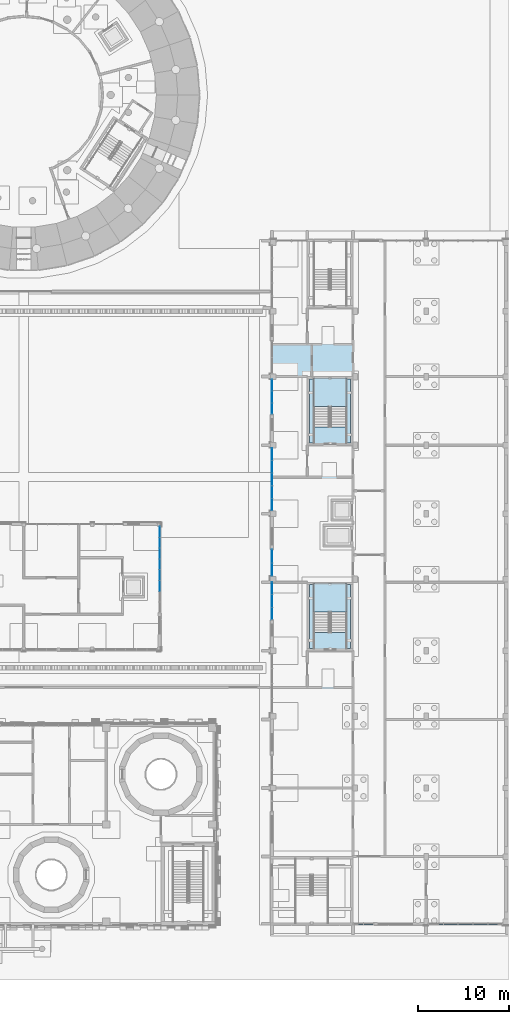
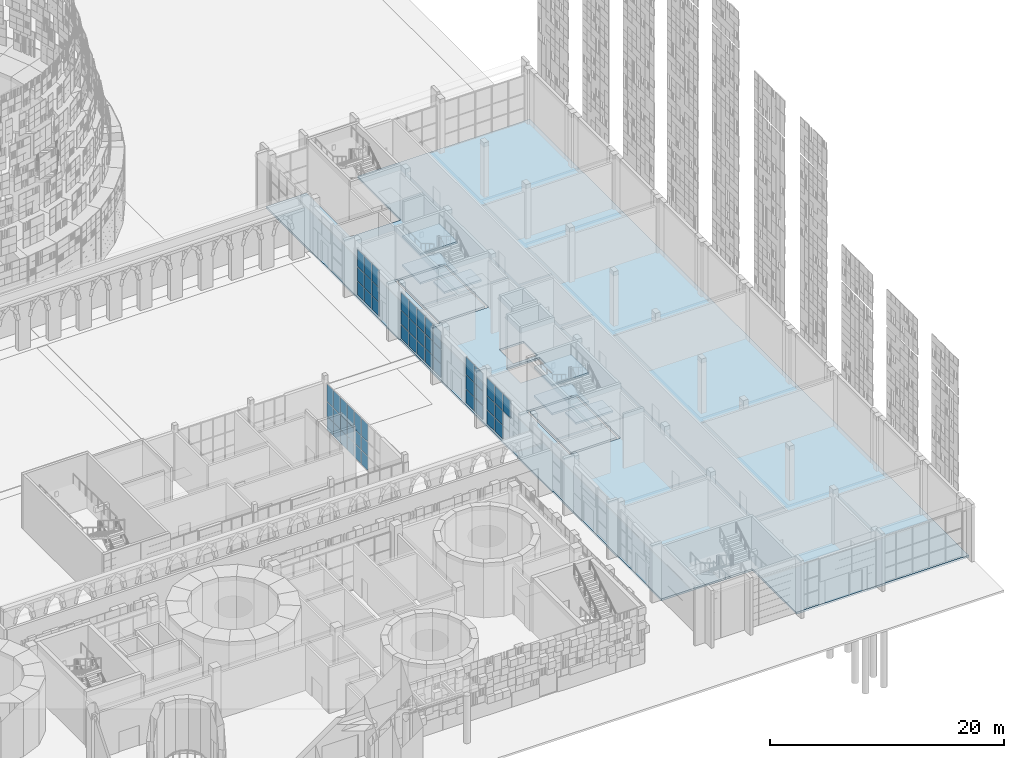
# One storey, part 44 of 125: 55 plates, 9 slabs, 7 elements without a shape of their own.
"""IFC4 building model written with IfcOpenShell, lengths in metres."""

from ifc_helpers import new_model, si_unit, direction, frame, origin, origin_2d, place, context, subcontext, project, spatial, polyline, rectangle, outline, extrude, material, layer, layer_set, type_object, element, aggregate, save


model = new_model("IFC4")

# Units and contexts
model_context = context("Model", 3, precision=1e-05, world=origin(), true_north=direction((0.0, 1.0)))
body_context = subcontext(model_context, "Body", "Model", "MODEL_VIEW")
ifc_project = project(units=[si_unit("LENGTHUNIT", "METRE"), si_unit("AREAUNIT", "SQUARE_METRE"), si_unit("VOLUMEUNIT", "CUBIC_METRE"), si_unit("PLANEANGLEUNIT", "RADIAN"), si_unit("MASSUNIT", "GRAM", prefix="KILO")], contexts=[model_context])

# Site, building, storey
site_placement = place(None, origin())
site = spatial("IfcSite", under=ifc_project, at=site_placement, CompositionType="ELEMENT")
building_placement = place(site_placement, origin())
building = spatial("IfcBuilding", under=site, at=building_placement, Name="Sun Court Science Centre", CompositionType="ELEMENT")
storey_placement = place(building_placement, origin())
storey = spatial("IfcBuildingStorey", under=building, at=storey_placement, Name="L00", CompositionType="ELEMENT", Elevation=0.0)

# Curtain wall, plates
ifc_material_1 = material(Name="Aluminium EN AW-6063 T6", Category="aluminium")
curtain_wall_type_1 = type_object("IfcCurtainWallType", Name="Pavilion curtain wall 1200", PredefinedType="NOTDEFINED", material=ifc_material_1)
curtain_wall_1_placement = place(storey_placement, origin())
curtain_wall_1 = element("IfcCurtainWall", 1, at=curtain_wall_1_placement, inside=storey, type_object=curtain_wall_type_1, Name="Curtain wall V5 E L00 01", PredefinedType="NOTDEFINED")
ifc_material_2 = material(Name="Toughened safety glass", Category="glass")
ifc_layer_1 = layer(ifc_material_2, 0.0107421875)
ifc_layer_set_1 = layer_set([ifc_layer_1], Name="Toughened safety glass")
plate_type_1 = type_object("IfcPlateType", Name="Pavilion toughened glazing panel 10.8", PredefinedType="CURTAIN_PANEL", material=ifc_layer_set_1)
plate_1_placement = place(storey_placement, frame((65.85009765625, 43.10302734375, 0.0498046875), z_axis=(0.0, 0.0, 1.0), x_axis=(0.0, -1.0, 0.0)))
plate_1 = element("IfcPlate", 2, at=plate_1_placement, type_object=plate_type_1, Name="CW3-20 panel 6.1", PredefinedType="CURTAIN_PANEL", context=body_context, shape_type="SweptSolid", body=[
    extrude(rectangle(XDim=1.13134765625, YDim=0.0107421875, at=origin_2d()), origin(), (0.0, 0.0, 1.0), 1.425048828125),
])
plate_2_placement = place(storey_placement, frame((65.85009765625, 44.284423828125, 0.0498046875), z_axis=(0.0, 0.0, 1.0), x_axis=(0.0, -1.0, 0.0)))
plate_2 = element("IfcPlate", 3, at=plate_2_placement, type_object=plate_type_1, Name="CW3-20 panel 5.1", PredefinedType="CURTAIN_PANEL", context=body_context, shape_type="SweptSolid", body=[
    extrude(rectangle(XDim=1.13134765625, YDim=0.0107421875, at=origin_2d()), origin(), (0.0, 0.0, 1.0), 1.425048828125),
])
plate_3_placement = place(storey_placement, frame((65.85009765625, 45.465576171875, 0.0498046875), z_axis=(0.0, 0.0, 1.0), x_axis=(0.0, -1.0, 0.0)))
plate_3 = element("IfcPlate", 4, at=plate_3_placement, type_object=plate_type_1, Name="CW3-20 panel 4.1", PredefinedType="CURTAIN_PANEL", context=body_context, shape_type="SweptSolid", body=[
    extrude(rectangle(XDim=1.13134765625, YDim=0.0107421875, at=origin_2d()), origin(), (0.0, 0.0, 1.0), 1.425048828125),
])
plate_4_placement = place(storey_placement, frame((65.85009765625, 46.64697265625, 0.0498046875), z_axis=(0.0, 0.0, 1.0), x_axis=(0.0, -1.0, 0.0)))
plate_4 = element("IfcPlate", 5, at=plate_4_placement, type_object=plate_type_1, Name="CW3-20 panel 3.1", PredefinedType="CURTAIN_PANEL", context=body_context, shape_type="SweptSolid", body=[
    extrude(rectangle(XDim=1.13134765625, YDim=0.0107421875, at=origin_2d()), origin(), (0.0, 0.0, 1.0), 1.425048828125),
])
plate_5_placement = place(storey_placement, frame((65.85009765625, 47.828125, 0.0498046875), z_axis=(0.0, 0.0, 1.0), x_axis=(0.0, -1.0, 0.0)))
plate_5 = element("IfcPlate", 6, at=plate_5_placement, type_object=plate_type_1, Name="CW3-20 panel 2.1", PredefinedType="CURTAIN_PANEL", context=body_context, shape_type="SweptSolid", body=[
    extrude(rectangle(XDim=1.13134765625, YDim=0.0107421875, at=origin_2d()), origin(), (0.0, 0.0, 1.0), 1.425048828125),
])
plate_6_placement = place(storey_placement, frame((65.85009765625, 48.996826171875, 0.0498046875), z_axis=(0.0, 0.0, 1.0), x_axis=(0.0, -1.0, 0.0)))
plate_6 = element("IfcPlate", 7, at=plate_6_placement, type_object=plate_type_1, Name="CW3-20 panel 1.1", PredefinedType="CURTAIN_PANEL", context=body_context, shape_type="SweptSolid", body=[
    extrude(rectangle(XDim=1.106201171875, YDim=0.0107421875, at=origin_2d()), origin(), (0.0, 0.0, 1.0), 1.425048828125),
])
plate_7_placement = place(storey_placement, frame((65.85009765625, 43.10302734375, 1.52490234375), z_axis=(0.0, 0.0, 1.0), x_axis=(0.0, -1.0, 0.0)))
plate_7 = element("IfcPlate", 8, at=plate_7_placement, type_object=plate_type_1, Name="CW3-20 panel 6.2", PredefinedType="CURTAIN_PANEL", context=body_context, shape_type="SweptSolid", body=[
    extrude(rectangle(XDim=1.13134765625, YDim=0.0107421875, at=origin_2d()), origin(), (0.0, 0.0, 1.0), 1.449951171875),
])
plate_8_placement = place(storey_placement, frame((65.85009765625, 44.284423828125, 1.52490234375), z_axis=(0.0, 0.0, 1.0), x_axis=(0.0, -1.0, 0.0)))
plate_8 = element("IfcPlate", 9, at=plate_8_placement, type_object=plate_type_1, Name="CW3-20 panel 5.2", PredefinedType="CURTAIN_PANEL", context=body_context, shape_type="SweptSolid", body=[
    extrude(rectangle(XDim=1.13134765625, YDim=0.0107421875, at=origin_2d()), origin(), (0.0, 0.0, 1.0), 1.449951171875),
])
plate_9_placement = place(storey_placement, frame((65.85009765625, 45.465576171875, 1.52490234375), z_axis=(0.0, 0.0, 1.0), x_axis=(0.0, -1.0, 0.0)))
plate_9 = element("IfcPlate", 10, at=plate_9_placement, type_object=plate_type_1, Name="CW3-20 panel 4.2", PredefinedType="CURTAIN_PANEL", context=body_context, shape_type="SweptSolid", body=[
    extrude(rectangle(XDim=1.13134765625, YDim=0.0107421875, at=origin_2d()), origin(), (0.0, 0.0, 1.0), 1.449951171875),
])
plate_10_placement = place(storey_placement, frame((65.85009765625, 46.64697265625, 1.52490234375), z_axis=(0.0, 0.0, 1.0), x_axis=(0.0, -1.0, 0.0)))
plate_10 = element("IfcPlate", 11, at=plate_10_placement, type_object=plate_type_1, Name="CW3-20 panel 3.2", PredefinedType="CURTAIN_PANEL", context=body_context, shape_type="SweptSolid", body=[
    extrude(rectangle(XDim=1.13134765625, YDim=0.0107421875, at=origin_2d()), origin(), (0.0, 0.0, 1.0), 1.449951171875),
])
plate_11_placement = place(storey_placement, frame((65.85009765625, 47.828125, 1.52490234375), z_axis=(0.0, 0.0, 1.0), x_axis=(0.0, -1.0, 0.0)))
plate_11 = element("IfcPlate", 12, at=plate_11_placement, type_object=plate_type_1, Name="CW3-20 panel 2.2", PredefinedType="CURTAIN_PANEL", context=body_context, shape_type="SweptSolid", body=[
    extrude(rectangle(XDim=1.13134765625, YDim=0.0107421875, at=origin_2d()), origin(), (0.0, 0.0, 1.0), 1.449951171875),
])
plate_12_placement = place(storey_placement, frame((65.85009765625, 48.996826171875, 1.52490234375), z_axis=(0.0, 0.0, 1.0), x_axis=(0.0, -1.0, 0.0)))
plate_12 = element("IfcPlate", 13, at=plate_12_placement, type_object=plate_type_1, Name="CW3-20 panel 1.2", PredefinedType="CURTAIN_PANEL", context=body_context, shape_type="SweptSolid", body=[
    extrude(rectangle(XDim=1.106201171875, YDim=0.0107421875, at=origin_2d()), origin(), (0.0, 0.0, 1.0), 1.449951171875),
])
plate_13_placement = place(storey_placement, frame((65.85009765625, 43.10302734375, 3.02490234375), z_axis=(0.0, 0.0, 1.0), x_axis=(0.0, -1.0, 0.0)))
plate_13 = element("IfcPlate", 14, at=plate_13_placement, type_object=plate_type_1, Name="CW3-20 panel 6.3", PredefinedType="CURTAIN_PANEL", context=body_context, shape_type="SweptSolid", body=[
    extrude(rectangle(XDim=1.13134765625, YDim=0.0107421875, at=origin_2d()), origin(), (0.0, 0.0, 1.0), 1.824951171875),
])
plate_14_placement = place(storey_placement, frame((65.85009765625, 44.284423828125, 3.02490234375), z_axis=(0.0, 0.0, 1.0), x_axis=(0.0, -1.0, 0.0)))
plate_14 = element("IfcPlate", 15, at=plate_14_placement, type_object=plate_type_1, Name="CW3-20 panel 5.3", PredefinedType="CURTAIN_PANEL", context=body_context, shape_type="SweptSolid", body=[
    extrude(rectangle(XDim=1.13134765625, YDim=0.0107421875, at=origin_2d()), origin(), (0.0, 0.0, 1.0), 1.824951171875),
])
plate_15_placement = place(storey_placement, frame((65.85009765625, 45.465576171875, 3.02490234375), z_axis=(0.0, 0.0, 1.0), x_axis=(0.0, -1.0, 0.0)))
plate_15 = element("IfcPlate", 16, at=plate_15_placement, type_object=plate_type_1, Name="CW3-20 panel 4.3", PredefinedType="CURTAIN_PANEL", context=body_context, shape_type="SweptSolid", body=[
    extrude(rectangle(XDim=1.13134765625, YDim=0.0107421875, at=origin_2d()), origin(), (0.0, 0.0, 1.0), 1.824951171875),
])
plate_16_placement = place(storey_placement, frame((65.85009765625, 46.64697265625, 3.02490234375), z_axis=(0.0, 0.0, 1.0), x_axis=(0.0, -1.0, 0.0)))
plate_16 = element("IfcPlate", 17, at=plate_16_placement, type_object=plate_type_1, Name="CW3-20 panel 3.3", PredefinedType="CURTAIN_PANEL", context=body_context, shape_type="SweptSolid", body=[
    extrude(rectangle(XDim=1.13134765625, YDim=0.0107421875, at=origin_2d()), origin(), (0.0, 0.0, 1.0), 1.824951171875),
])
plate_17_placement = place(storey_placement, frame((65.85009765625, 47.828125, 3.02490234375), z_axis=(0.0, 0.0, 1.0), x_axis=(0.0, -1.0, 0.0)))
plate_17 = element("IfcPlate", 18, at=plate_17_placement, type_object=plate_type_1, Name="CW3-20 panel 2.3", PredefinedType="CURTAIN_PANEL", context=body_context, shape_type="SweptSolid", body=[
    extrude(rectangle(XDim=1.13134765625, YDim=0.0107421875, at=origin_2d()), origin(), (0.0, 0.0, 1.0), 1.824951171875),
])
plate_18_placement = place(storey_placement, frame((65.85009765625, 48.996826171875, 3.02490234375), z_axis=(0.0, 0.0, 1.0), x_axis=(0.0, -1.0, 0.0)))
plate_18 = element("IfcPlate", 19, at=plate_18_placement, type_object=plate_type_1, Name="CW3-20 panel 1.3", PredefinedType="CURTAIN_PANEL", context=body_context, shape_type="SweptSolid", body=[
    extrude(rectangle(XDim=1.106201171875, YDim=0.0107421875, at=origin_2d()), origin(), (0.0, 0.0, 1.0), 1.824951171875),
])
aggregate(curtain_wall_1, [plate_1, plate_2, plate_3, plate_4, plate_5, plate_6, plate_7, plate_8, plate_9, plate_10, plate_11, plate_12, plate_13, plate_14, plate_15, plate_16, plate_17, plate_18])

# Slabs
ifc_material_3 = material(Name="Concrete C25/30", Category="concrete")
ifc_layer_2 = layer(ifc_material_3, 0.199951171875)
ifc_layer_set_2 = layer_set([ifc_layer_2], Name="Concrete C25/30")
slab_type_1 = type_object("IfcSlabType", Name="RC ground slab 200", PredefinedType="BASESLAB", material=ifc_layer_set_2)
slab_1_placement = place(storey_placement, frame((0.0, 0.0, -0.199951171875)))
element("IfcSlab", 20, at=slab_1_placement, inside=storey, type_object=slab_type_1, Name="Ground slab L00", PredefinedType="BASESLAB", context=body_context, shape_type="SweptSolid", body=[
    extrude(outline(polyline([(104.0, 81.0), (87.0, 81.0), (87.0, 73.5), (82.0, 73.5), (82.0, 81.0), (78.0, 81.0), (78.0, 13.5), (87.0, 13.5), (87.0, 6.0), (104.0, 6.0), (104.0, 81.0)]), holes=[polyline([(84.577392578125, 52.612548828125), (87.00244140625, 52.612548828125), (87.00244140625, 50.1875), (84.577392578125, 50.1875), (84.577392578125, 52.612548828125)]), polyline([(87.0, 43.5), (87.0, 36.0), (82.0, 36.0), (82.0, 43.5), (87.0, 43.5)]), polyline([(87.0, 49.85009765625), (87.0, 47.35009765625), (83.699951171875, 47.35009765625), (83.699951171875, 49.85009765625), (87.0, 49.85009765625)]), polyline([(87.0, 66.0), (87.0, 58.5), (82.0, 58.5), (82.0, 66.0), (87.0, 66.0)])]), origin(), (0.0, 0.0, 1.0), 0.199951171875),
])
slab_2_placement = place(storey_placement, frame((0.0, 0.0, -0.199951171875)))
element("IfcSlab", 21, at=slab_2_placement, inside=storey, type_object=slab_type_1, Name="Stair SL2 ground slab", PredefinedType="BASESLAB", context=body_context, shape_type="SweptSolid", body=[
    extrude(outline(polyline([(82.25, 36.25), (86.75, 36.25), (86.75, 43.25), (82.25, 43.25), (82.25, 36.25)])), origin(), (0.0, 0.0, 1.0), 0.199951171875),
])
slab_3_placement = place(storey_placement, frame((0.0, 0.0, -0.199951171875)))
element("IfcSlab", 22, at=slab_3_placement, inside=storey, type_object=slab_type_1, Name="Stair SL3 ground slab", PredefinedType="BASESLAB", context=body_context, shape_type="SweptSolid", body=[
    extrude(outline(polyline([(82.25, 58.75), (86.75, 58.75), (86.75, 65.75), (82.25, 65.75), (82.25, 58.75)])), origin(), (0.0, 0.0, 1.0), 0.199951171875),
])

# Curtain wall, plates
ifc_material_4 = material(Name="Aluminium EN AW-6063 T6", Category="aluminium")
curtain_wall_type_2 = type_object("IfcCurtainWallType", Name="Laboratory tall bay curtain wall 1500", PredefinedType="NOTDEFINED", material=ifc_material_4)
curtain_wall_2_placement = place(storey_placement, origin())
curtain_wall_2 = element("IfcCurtainWall", 23, at=curtain_wall_2_placement, inside=storey, type_object=curtain_wall_type_2, Name="Curtain wall V4 W L00 04", PredefinedType="NOTDEFINED")
ifc_material_5 = material(Name="Solar-control glass", Category="glass")
ifc_layer_3 = layer(ifc_material_5, 0.028076171875)
ifc_layer_set_3 = layer_set([ifc_layer_3], Name="Solar-control glass")
plate_type_2 = type_object("IfcPlateType", Name="Solar-control glazing panel 8-12-8", PredefinedType="CURTAIN_PANEL", material=ifc_layer_set_3)
plate_19_placement = place(storey_placement, frame((78.14990234375, 41.449951171875, 0.06005859375), z_axis=(0.0, 0.0, 1.0), x_axis=(0.0, 1.0, 0.0)))
plate_19 = element("IfcPlate", 24, at=plate_19_placement, type_object=plate_type_2, Name="CW2-04 panel 2.1", PredefinedType="CURTAIN_PANEL", context=body_context, shape_type="SweptSolid", body=[
    extrude(rectangle(XDim=1.340087890625, YDim=0.028076171875, at=origin_2d()), origin(), (0.0, 0.0, 1.0), 1.409912109375),
])
plate_20_placement = place(storey_placement, frame((78.14990234375, 42.8349609375, 0.06005859375), z_axis=(0.0, 0.0, 1.0), x_axis=(0.0, 1.0, 0.0)))
plate_20 = element("IfcPlate", 25, at=plate_20_placement, type_object=plate_type_2, Name="CW2-04 panel 3.1", PredefinedType="CURTAIN_PANEL", context=body_context, shape_type="SweptSolid", body=[
    extrude(rectangle(XDim=1.31005859375, YDim=0.028076171875, at=origin_2d()), origin(), (0.0, 0.0, 1.0), 1.409912109375),
])
plate_21_placement = place(storey_placement, frame((78.14990234375, 41.449951171875, 1.530029296875), z_axis=(0.0, 0.0, 1.0), x_axis=(0.0, 1.0, 0.0)))
plate_21 = element("IfcPlate", 26, at=plate_21_placement, type_object=plate_type_2, Name="CW2-04 panel 2.2", PredefinedType="CURTAIN_PANEL", context=body_context, shape_type="SweptSolid", body=[
    extrude(rectangle(XDim=1.340087890625, YDim=0.028076171875, at=origin_2d()), origin(), (0.0, 0.0, 1.0), 1.43994140625),
])
plate_22_placement = place(storey_placement, frame((78.14990234375, 42.8349609375, 1.530029296875), z_axis=(0.0, 0.0, 1.0), x_axis=(0.0, 1.0, 0.0)))
plate_22 = element("IfcPlate", 27, at=plate_22_placement, type_object=plate_type_2, Name="CW2-04 panel 3.2", PredefinedType="CURTAIN_PANEL", context=body_context, shape_type="SweptSolid", body=[
    extrude(rectangle(XDim=1.31005859375, YDim=0.028076171875, at=origin_2d()), origin(), (0.0, 0.0, 1.0), 1.43994140625),
])
plate_23_placement = place(storey_placement, frame((78.14990234375, 40.06494140625, 3.030029296875), z_axis=(0.0, 0.0, 1.0), x_axis=(0.0, 1.0, 0.0)))
plate_23 = element("IfcPlate", 28, at=plate_23_placement, type_object=plate_type_2, Name="CW2-04 panel 1.3", PredefinedType="CURTAIN_PANEL", context=body_context, shape_type="SweptSolid", body=[
    extrude(rectangle(XDim=1.31005859375, YDim=0.028076171875, at=origin_2d()), origin(), (0.0, 0.0, 1.0), 1.81005859375),
])
plate_24_placement = place(storey_placement, frame((78.14990234375, 41.449951171875, 3.030029296875), z_axis=(0.0, 0.0, 1.0), x_axis=(0.0, 1.0, 0.0)))
plate_24 = element("IfcPlate", 29, at=plate_24_placement, type_object=plate_type_2, Name="CW2-04 panel 2.3", PredefinedType="CURTAIN_PANEL", context=body_context, shape_type="SweptSolid", body=[
    extrude(rectangle(XDim=1.340087890625, YDim=0.028076171875, at=origin_2d()), origin(), (0.0, 0.0, 1.0), 1.81005859375),
])
plate_25_placement = place(storey_placement, frame((78.14990234375, 42.8349609375, 3.030029296875), z_axis=(0.0, 0.0, 1.0), x_axis=(0.0, 1.0, 0.0)))
plate_25 = element("IfcPlate", 30, at=plate_25_placement, type_object=plate_type_2, Name="CW2-04 panel 3.3", PredefinedType="CURTAIN_PANEL", context=body_context, shape_type="SweptSolid", body=[
    extrude(rectangle(XDim=1.31005859375, YDim=0.028076171875, at=origin_2d()), origin(), (0.0, 0.0, 1.0), 1.81005859375),
])
aggregate(curtain_wall_2, [plate_19, plate_20, plate_21, plate_22, plate_23, plate_24, plate_25])

curtain_wall_3_placement = place(storey_placement, origin())
curtain_wall_3 = element("IfcCurtainWall", 31, at=curtain_wall_3_placement, inside=storey, type_object=curtain_wall_type_2, Name="Curtain wall V4 W L00 05", PredefinedType="NOTDEFINED")
plate_26_placement = place(storey_placement, frame((78.14990234375, 44.902587890625, 0.06005859375), z_axis=(0.0, 0.0, 1.0), x_axis=(0.0, 1.0, 0.0)))
plate_26 = element("IfcPlate", 32, at=plate_26_placement, type_object=plate_type_2, Name="CW2-05 panel 1.1", PredefinedType="CURTAIN_PANEL", context=body_context, shape_type="SweptSolid", body=[
    extrude(rectangle(XDim=1.385009765625, YDim=0.028076171875, at=origin_2d()), origin(), (0.0, 0.0, 1.0), 1.409912109375),
])
plate_27_placement = place(storey_placement, frame((78.14990234375, 46.347412109375, 0.06005859375), z_axis=(0.0, 0.0, 1.0), x_axis=(0.0, 1.0, 0.0)))
plate_27 = element("IfcPlate", 33, at=plate_27_placement, type_object=plate_type_2, Name="CW2-05 panel 2.1", PredefinedType="CURTAIN_PANEL", context=body_context, shape_type="SweptSolid", body=[
    extrude(rectangle(XDim=1.385009765625, YDim=0.028076171875, at=origin_2d()), origin(), (0.0, 0.0, 1.0), 1.409912109375),
])
plate_28_placement = place(storey_placement, frame((78.14990234375, 44.902587890625, 1.530029296875), z_axis=(0.0, 0.0, 1.0), x_axis=(0.0, 1.0, 0.0)))
plate_28 = element("IfcPlate", 34, at=plate_28_placement, type_object=plate_type_2, Name="CW2-05 panel 1.2", PredefinedType="CURTAIN_PANEL", context=body_context, shape_type="SweptSolid", body=[
    extrude(rectangle(XDim=1.385009765625, YDim=0.028076171875, at=origin_2d()), origin(), (0.0, 0.0, 1.0), 1.43994140625),
])
plate_29_placement = place(storey_placement, frame((78.14990234375, 46.347412109375, 1.530029296875), z_axis=(0.0, 0.0, 1.0), x_axis=(0.0, 1.0, 0.0)))
plate_29 = element("IfcPlate", 35, at=plate_29_placement, type_object=plate_type_2, Name="CW2-05 panel 2.2", PredefinedType="CURTAIN_PANEL", context=body_context, shape_type="SweptSolid", body=[
    extrude(rectangle(XDim=1.385009765625, YDim=0.028076171875, at=origin_2d()), origin(), (0.0, 0.0, 1.0), 1.43994140625),
])
plate_30_placement = place(storey_placement, frame((78.14990234375, 44.902587890625, 3.030029296875), z_axis=(0.0, 0.0, 1.0), x_axis=(0.0, 1.0, 0.0)))
plate_30 = element("IfcPlate", 36, at=plate_30_placement, type_object=plate_type_2, Name="CW2-05 panel 1.3", PredefinedType="CURTAIN_PANEL", context=body_context, shape_type="SweptSolid", body=[
    extrude(rectangle(XDim=1.385009765625, YDim=0.028076171875, at=origin_2d()), origin(), (0.0, 0.0, 1.0), 1.81005859375),
])
plate_31_placement = place(storey_placement, frame((78.14990234375, 46.347412109375, 3.030029296875), z_axis=(0.0, 0.0, 1.0), x_axis=(0.0, 1.0, 0.0)))
plate_31 = element("IfcPlate", 37, at=plate_31_placement, type_object=plate_type_2, Name="CW2-05 panel 2.3", PredefinedType="CURTAIN_PANEL", context=body_context, shape_type="SweptSolid", body=[
    extrude(rectangle(XDim=1.385009765625, YDim=0.028076171875, at=origin_2d()), origin(), (0.0, 0.0, 1.0), 1.81005859375),
])
aggregate(curtain_wall_3, [plate_26, plate_27, plate_28, plate_29, plate_30, plate_31])

curtain_wall_4_placement = place(storey_placement, origin())
curtain_wall_4 = element("IfcCurtainWall", 38, at=curtain_wall_4_placement, inside=storey, type_object=curtain_wall_type_2, Name="Curtain wall V4 W L00 06", PredefinedType="NOTDEFINED")
plate_32_placement = place(storey_placement, frame((78.14990234375, 52.0048828125, 0.06005859375), z_axis=(0.0, 0.0, 1.0), x_axis=(0.0, 1.0, 0.0)))
plate_32 = element("IfcPlate", 39, at=plate_32_placement, type_object=plate_type_2, Name="CW2-06 panel 1.1", PredefinedType="CURTAIN_PANEL", context=body_context, shape_type="SweptSolid", body=[
    extrude(rectangle(XDim=1.2900390625, YDim=0.028076171875, at=origin_2d()), origin(), (0.0, 0.0, 1.0), 1.409912109375),
])
plate_33_placement = place(storey_placement, frame((78.14990234375, 53.3701171875, 0.06005859375), z_axis=(0.0, 0.0, 1.0), x_axis=(0.0, 1.0, 0.0)))
plate_33 = element("IfcPlate", 40, at=plate_33_placement, type_object=plate_type_2, Name="CW2-06 panel 2.1", PredefinedType="CURTAIN_PANEL", context=body_context, shape_type="SweptSolid", body=[
    extrude(rectangle(XDim=1.320068359375, YDim=0.028076171875, at=origin_2d()), origin(), (0.0, 0.0, 1.0), 1.409912109375),
])
plate_34_placement = place(storey_placement, frame((78.14990234375, 54.75, 0.06005859375), z_axis=(0.0, 0.0, 1.0), x_axis=(0.0, 1.0, 0.0)))
plate_34 = element("IfcPlate", 41, at=plate_34_placement, type_object=plate_type_2, Name="CW2-06 panel 3.1", PredefinedType="CURTAIN_PANEL", context=body_context, shape_type="SweptSolid", body=[
    extrude(rectangle(XDim=1.320068359375, YDim=0.028076171875, at=origin_2d()), origin(), (0.0, 0.0, 1.0), 1.409912109375),
])
plate_35_placement = place(storey_placement, frame((78.14990234375, 56.1298828125, 0.06005859375), z_axis=(0.0, 0.0, 1.0), x_axis=(0.0, 1.0, 0.0)))
plate_35 = element("IfcPlate", 42, at=plate_35_placement, type_object=plate_type_2, Name="CW2-06 panel 4.1", PredefinedType="CURTAIN_PANEL", context=body_context, shape_type="SweptSolid", body=[
    extrude(rectangle(XDim=1.320068359375, YDim=0.028076171875, at=origin_2d()), origin(), (0.0, 0.0, 1.0), 1.409912109375),
])
plate_36_placement = place(storey_placement, frame((78.14990234375, 57.4951171875, 0.06005859375), z_axis=(0.0, 0.0, 1.0), x_axis=(0.0, 1.0, 0.0)))
plate_36 = element("IfcPlate", 43, at=plate_36_placement, type_object=plate_type_2, Name="CW2-06 panel 5.1", PredefinedType="CURTAIN_PANEL", context=body_context, shape_type="SweptSolid", body=[
    extrude(rectangle(XDim=1.2900390625, YDim=0.028076171875, at=origin_2d()), origin(), (0.0, 0.0, 1.0), 1.409912109375),
])
plate_37_placement = place(storey_placement, frame((78.14990234375, 52.0048828125, 1.530029296875), z_axis=(0.0, 0.0, 1.0), x_axis=(0.0, 1.0, 0.0)))
plate_37 = element("IfcPlate", 44, at=plate_37_placement, type_object=plate_type_2, Name="CW2-06 panel 1.2", PredefinedType="CURTAIN_PANEL", context=body_context, shape_type="SweptSolid", body=[
    extrude(rectangle(XDim=1.2900390625, YDim=0.028076171875, at=origin_2d()), origin(), (0.0, 0.0, 1.0), 1.43994140625),
])
plate_38_placement = place(storey_placement, frame((78.14990234375, 53.3701171875, 1.530029296875), z_axis=(0.0, 0.0, 1.0), x_axis=(0.0, 1.0, 0.0)))
plate_38 = element("IfcPlate", 45, at=plate_38_placement, type_object=plate_type_2, Name="CW2-06 panel 2.2", PredefinedType="CURTAIN_PANEL", context=body_context, shape_type="SweptSolid", body=[
    extrude(rectangle(XDim=1.320068359375, YDim=0.028076171875, at=origin_2d()), origin(), (0.0, 0.0, 1.0), 1.43994140625),
])
plate_39_placement = place(storey_placement, frame((78.14990234375, 54.75, 1.530029296875), z_axis=(0.0, 0.0, 1.0), x_axis=(0.0, 1.0, 0.0)))
plate_39 = element("IfcPlate", 46, at=plate_39_placement, type_object=plate_type_2, Name="CW2-06 panel 3.2", PredefinedType="CURTAIN_PANEL", context=body_context, shape_type="SweptSolid", body=[
    extrude(rectangle(XDim=1.320068359375, YDim=0.028076171875, at=origin_2d()), origin(), (0.0, 0.0, 1.0), 1.43994140625),
])
plate_40_placement = place(storey_placement, frame((78.14990234375, 56.1298828125, 1.530029296875), z_axis=(0.0, 0.0, 1.0), x_axis=(0.0, 1.0, 0.0)))
plate_40 = element("IfcPlate", 47, at=plate_40_placement, type_object=plate_type_2, Name="CW2-06 panel 4.2", PredefinedType="CURTAIN_PANEL", context=body_context, shape_type="SweptSolid", body=[
    extrude(rectangle(XDim=1.320068359375, YDim=0.028076171875, at=origin_2d()), origin(), (0.0, 0.0, 1.0), 1.43994140625),
])
plate_41_placement = place(storey_placement, frame((78.14990234375, 57.4951171875, 1.530029296875), z_axis=(0.0, 0.0, 1.0), x_axis=(0.0, 1.0, 0.0)))
plate_41 = element("IfcPlate", 48, at=plate_41_placement, type_object=plate_type_2, Name="CW2-06 panel 5.2", PredefinedType="CURTAIN_PANEL", context=body_context, shape_type="SweptSolid", body=[
    extrude(rectangle(XDim=1.2900390625, YDim=0.028076171875, at=origin_2d()), origin(), (0.0, 0.0, 1.0), 1.43994140625),
])
plate_42_placement = place(storey_placement, frame((78.14990234375, 52.0048828125, 3.030029296875), z_axis=(0.0, 0.0, 1.0), x_axis=(0.0, 1.0, 0.0)))
plate_42 = element("IfcPlate", 49, at=plate_42_placement, type_object=plate_type_2, Name="CW2-06 panel 1.3", PredefinedType="CURTAIN_PANEL", context=body_context, shape_type="SweptSolid", body=[
    extrude(rectangle(XDim=1.2900390625, YDim=0.028076171875, at=origin_2d()), origin(), (0.0, 0.0, 1.0), 1.81005859375),
])
plate_43_placement = place(storey_placement, frame((78.14990234375, 53.3701171875, 3.030029296875), z_axis=(0.0, 0.0, 1.0), x_axis=(0.0, 1.0, 0.0)))
plate_43 = element("IfcPlate", 50, at=plate_43_placement, type_object=plate_type_2, Name="CW2-06 panel 2.3", PredefinedType="CURTAIN_PANEL", context=body_context, shape_type="SweptSolid", body=[
    extrude(rectangle(XDim=1.320068359375, YDim=0.028076171875, at=origin_2d()), origin(), (0.0, 0.0, 1.0), 1.81005859375),
])
plate_44_placement = place(storey_placement, frame((78.14990234375, 54.75, 3.030029296875), z_axis=(0.0, 0.0, 1.0), x_axis=(0.0, 1.0, 0.0)))
plate_44 = element("IfcPlate", 51, at=plate_44_placement, type_object=plate_type_2, Name="CW2-06 panel 3.3", PredefinedType="CURTAIN_PANEL", context=body_context, shape_type="SweptSolid", body=[
    extrude(rectangle(XDim=1.320068359375, YDim=0.028076171875, at=origin_2d()), origin(), (0.0, 0.0, 1.0), 1.81005859375),
])
plate_45_placement = place(storey_placement, frame((78.14990234375, 56.1298828125, 3.030029296875), z_axis=(0.0, 0.0, 1.0), x_axis=(0.0, 1.0, 0.0)))
plate_45 = element("IfcPlate", 52, at=plate_45_placement, type_object=plate_type_2, Name="CW2-06 panel 4.3", PredefinedType="CURTAIN_PANEL", context=body_context, shape_type="SweptSolid", body=[
    extrude(rectangle(XDim=1.320068359375, YDim=0.028076171875, at=origin_2d()), origin(), (0.0, 0.0, 1.0), 1.81005859375),
])
plate_46_placement = place(storey_placement, frame((78.14990234375, 57.4951171875, 3.030029296875), z_axis=(0.0, 0.0, 1.0), x_axis=(0.0, 1.0, 0.0)))
plate_46 = element("IfcPlate", 53, at=plate_46_placement, type_object=plate_type_2, Name="CW2-06 panel 5.3", PredefinedType="CURTAIN_PANEL", context=body_context, shape_type="SweptSolid", body=[
    extrude(rectangle(XDim=1.2900390625, YDim=0.028076171875, at=origin_2d()), origin(), (0.0, 0.0, 1.0), 1.81005859375),
])
aggregate(curtain_wall_4, [plate_32, plate_33, plate_34, plate_35, plate_36, plate_37, plate_38, plate_39, plate_40, plate_41, plate_42, plate_43, plate_44, plate_45, plate_46])

curtain_wall_5_placement = place(storey_placement, origin())
curtain_wall_5 = element("IfcCurtainWall", 54, at=curtain_wall_5_placement, inside=storey, type_object=curtain_wall_type_2, Name="Curtain wall V4 W L00 07", PredefinedType="NOTDEFINED")
plate_47_placement = place(storey_placement, frame((78.14990234375, 62.506591796875, 0.06005859375), z_axis=(0.0, 0.0, 1.0), x_axis=(0.0, 1.0, 0.0)))
plate_47 = element("IfcPlate", 55, at=plate_47_placement, type_object=plate_type_2, Name="CW2-07 panel 1.1", PredefinedType="CURTAIN_PANEL", context=body_context, shape_type="SweptSolid", body=[
    extrude(rectangle(XDim=1.193359375, YDim=0.028076171875, at=origin_2d()), origin(), (0.0, 0.0, 1.0), 1.409912109375),
])
plate_48_placement = place(storey_placement, frame((78.14990234375, 63.77490234375, 0.06005859375), z_axis=(0.0, 0.0, 1.0), x_axis=(0.0, 1.0, 0.0)))
plate_48 = element("IfcPlate", 56, at=plate_48_placement, type_object=plate_type_2, Name="CW2-07 panel 2.1", PredefinedType="CURTAIN_PANEL", context=body_context, shape_type="SweptSolid", body=[
    extrude(rectangle(XDim=1.223388671875, YDim=0.028076171875, at=origin_2d()), origin(), (0.0, 0.0, 1.0), 1.409912109375),
])
plate_49_placement = place(storey_placement, frame((78.14990234375, 65.043212890625, 0.06005859375), z_axis=(0.0, 0.0, 1.0), x_axis=(0.0, 1.0, 0.0)))
plate_49 = element("IfcPlate", 57, at=plate_49_placement, type_object=plate_type_2, Name="CW2-07 panel 3.1", PredefinedType="CURTAIN_PANEL", context=body_context, shape_type="SweptSolid", body=[
    extrude(rectangle(XDim=1.193359375, YDim=0.028076171875, at=origin_2d()), origin(), (0.0, 0.0, 1.0), 1.409912109375),
])
plate_50_placement = place(storey_placement, frame((78.14990234375, 62.506591796875, 1.530029296875), z_axis=(0.0, 0.0, 1.0), x_axis=(0.0, 1.0, 0.0)))
plate_50 = element("IfcPlate", 58, at=plate_50_placement, type_object=plate_type_2, Name="CW2-07 panel 1.2", PredefinedType="CURTAIN_PANEL", context=body_context, shape_type="SweptSolid", body=[
    extrude(rectangle(XDim=1.193359375, YDim=0.028076171875, at=origin_2d()), origin(), (0.0, 0.0, 1.0), 1.43994140625),
])
plate_51_placement = place(storey_placement, frame((78.14990234375, 63.77490234375, 1.530029296875), z_axis=(0.0, 0.0, 1.0), x_axis=(0.0, 1.0, 0.0)))
plate_51 = element("IfcPlate", 59, at=plate_51_placement, type_object=plate_type_2, Name="CW2-07 panel 2.2", PredefinedType="CURTAIN_PANEL", context=body_context, shape_type="SweptSolid", body=[
    extrude(rectangle(XDim=1.223388671875, YDim=0.028076171875, at=origin_2d()), origin(), (0.0, 0.0, 1.0), 1.43994140625),
])
plate_52_placement = place(storey_placement, frame((78.14990234375, 65.043212890625, 1.530029296875), z_axis=(0.0, 0.0, 1.0), x_axis=(0.0, 1.0, 0.0)))
plate_52 = element("IfcPlate", 60, at=plate_52_placement, type_object=plate_type_2, Name="CW2-07 panel 3.2", PredefinedType="CURTAIN_PANEL", context=body_context, shape_type="SweptSolid", body=[
    extrude(rectangle(XDim=1.193359375, YDim=0.028076171875, at=origin_2d()), origin(), (0.0, 0.0, 1.0), 1.43994140625),
])
plate_53_placement = place(storey_placement, frame((78.14990234375, 62.506591796875, 3.030029296875), z_axis=(0.0, 0.0, 1.0), x_axis=(0.0, 1.0, 0.0)))
plate_53 = element("IfcPlate", 61, at=plate_53_placement, type_object=plate_type_2, Name="CW2-07 panel 1.3", PredefinedType="CURTAIN_PANEL", context=body_context, shape_type="SweptSolid", body=[
    extrude(rectangle(XDim=1.193359375, YDim=0.028076171875, at=origin_2d()), origin(), (0.0, 0.0, 1.0), 1.81005859375),
])
plate_54_placement = place(storey_placement, frame((78.14990234375, 63.77490234375, 3.030029296875), z_axis=(0.0, 0.0, 1.0), x_axis=(0.0, 1.0, 0.0)))
plate_54 = element("IfcPlate", 62, at=plate_54_placement, type_object=plate_type_2, Name="CW2-07 panel 2.3", PredefinedType="CURTAIN_PANEL", context=body_context, shape_type="SweptSolid", body=[
    extrude(rectangle(XDim=1.223388671875, YDim=0.028076171875, at=origin_2d()), origin(), (0.0, 0.0, 1.0), 1.81005859375),
])
plate_55_placement = place(storey_placement, frame((78.14990234375, 65.043212890625, 3.030029296875), z_axis=(0.0, 0.0, 1.0), x_axis=(0.0, 1.0, 0.0)))
plate_55 = element("IfcPlate", 63, at=plate_55_placement, type_object=plate_type_2, Name="CW2-07 panel 3.3", PredefinedType="CURTAIN_PANEL", context=body_context, shape_type="SweptSolid", body=[
    extrude(rectangle(XDim=1.193359375, YDim=0.028076171875, at=origin_2d()), origin(), (0.0, 0.0, 1.0), 1.81005859375),
])
aggregate(curtain_wall_5, [plate_47, plate_48, plate_49, plate_50, plate_51, plate_52, plate_53, plate_54, plate_55])

# Stair, slabs
ifc_material_6 = material(Name="Concrete C25/30", Category="concrete")
stair_type = type_object("IfcStairType", Name="Stair 1500 enclosed half-turn", PredefinedType="HALF_TURN_STAIR", material=ifc_material_6)
stair_1_placement = place(storey_placement, origin())
stair_1 = element("IfcStair", 64, at=stair_1_placement, inside=storey, type_object=stair_type, Name="L00 Stair SL2", PredefinedType="HALF_TURN_STAIR")
ifc_material_7 = material(Name="Concrete C25/30", Category="concrete")
ifc_layer_4 = layer(ifc_material_7, 0.199951171875)
ifc_layer_set_4 = layer_set([ifc_layer_4], Name="Concrete C25/30")
slab_type_2 = type_object("IfcSlabType", Name="Stair landing 200", PredefinedType="LANDING", material=ifc_layer_set_4)
slab_4_placement = place(storey_placement, frame((0.0, 0.0, 1.300048828125)))
slab_4 = element("IfcSlab", 65, at=slab_4_placement, type_object=slab_type_2, Name="SL2 landing 1", PredefinedType="LANDING", context=body_context, shape_type="SweptSolid", body=[
    extrude(outline(polyline([(86.322998046875, 40.23388671875), (86.322998046875, 43.35009765625), (82.677001953125, 43.35009765625), (82.677001953125, 40.23388671875), (86.322998046875, 40.23388671875)])), origin(), (0.0, 0.0, 1.0), 0.199951171875),
])
slab_5_placement = place(storey_placement, frame((0.0, 0.0, 2.800048828125)))
slab_5 = element("IfcSlab", 66, at=slab_5_placement, type_object=slab_type_2, Name="SL2 landing 2", PredefinedType="LANDING", context=body_context, shape_type="SweptSolid", body=[
    extrude(outline(polyline([(86.322998046875, 36.14990234375), (86.322998046875, 38.001953125), (82.677001953125, 38.001953125), (82.677001953125, 36.14990234375), (86.322998046875, 36.14990234375)])), origin(), (0.0, 0.0, 1.0), 0.199951171875),
])
slab_6_placement = place(storey_placement, frame((0.0, 0.0, 4.300048828125)))
slab_6 = element("IfcSlab", 67, at=slab_6_placement, type_object=slab_type_2, Name="SL2 landing 3", PredefinedType="LANDING", context=body_context, shape_type="SweptSolid", body=[
    extrude(outline(polyline([(86.322998046875, 40.23388671875), (86.322998046875, 43.35009765625), (82.677001953125, 43.35009765625), (82.677001953125, 40.23388671875), (86.322998046875, 40.23388671875)])), origin(), (0.0, 0.0, 1.0), 0.199951171875),
])
aggregate(stair_1, [slab_4, slab_5, slab_6])

stair_2_placement = place(storey_placement, origin())
stair_2 = element("IfcStair", 68, at=stair_2_placement, inside=storey, type_object=stair_type, Name="L00 Stair SL3", PredefinedType="HALF_TURN_STAIR")
slab_7_placement = place(storey_placement, frame((0.0, 0.0, 1.300048828125)))
slab_7 = element("IfcSlab", 69, at=slab_7_placement, type_object=slab_type_2, Name="SL3 landing 1", PredefinedType="LANDING", context=body_context, shape_type="SweptSolid", body=[
    extrude(outline(polyline([(86.322998046875, 62.73388671875), (86.322998046875, 65.85009765625), (82.677001953125, 65.85009765625), (82.677001953125, 62.73388671875), (86.322998046875, 62.73388671875)])), origin(), (0.0, 0.0, 1.0), 0.199951171875),
])
slab_8_placement = place(storey_placement, frame((0.0, 0.0, 2.800048828125)))
slab_8 = element("IfcSlab", 70, at=slab_8_placement, type_object=slab_type_2, Name="SL3 landing 2", PredefinedType="LANDING", context=body_context, shape_type="SweptSolid", body=[
    extrude(outline(polyline([(86.322998046875, 58.64990234375), (86.322998046875, 60.501953125), (82.677001953125, 60.501953125), (82.677001953125, 58.64990234375), (86.322998046875, 58.64990234375)])), origin(), (0.0, 0.0, 1.0), 0.199951171875),
])
slab_9_placement = place(storey_placement, frame((0.0, 0.0, 4.300048828125)))
slab_9 = element("IfcSlab", 71, at=slab_9_placement, type_object=slab_type_2, Name="SL3 landing 3", PredefinedType="LANDING", context=body_context, shape_type="SweptSolid", body=[
    extrude(outline(polyline([(86.322998046875, 62.73388671875), (86.322998046875, 65.85009765625), (82.677001953125, 65.85009765625), (82.677001953125, 62.73388671875), (86.322998046875, 62.73388671875)])), origin(), (0.0, 0.0, 1.0), 0.199951171875),
])
aggregate(stair_2, [slab_7, slab_8, slab_9])

save(model, "model.ifc")
